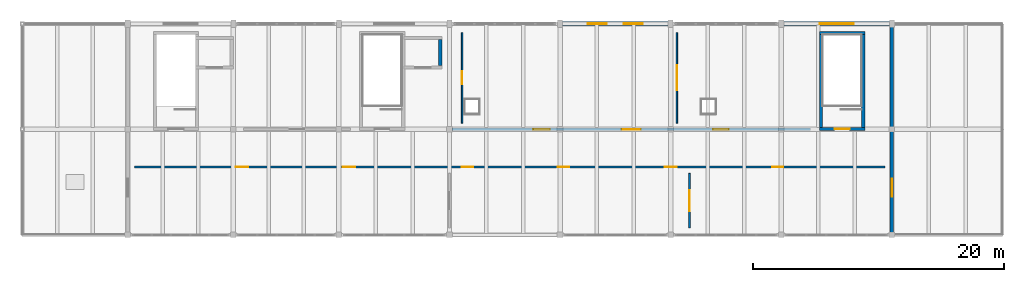
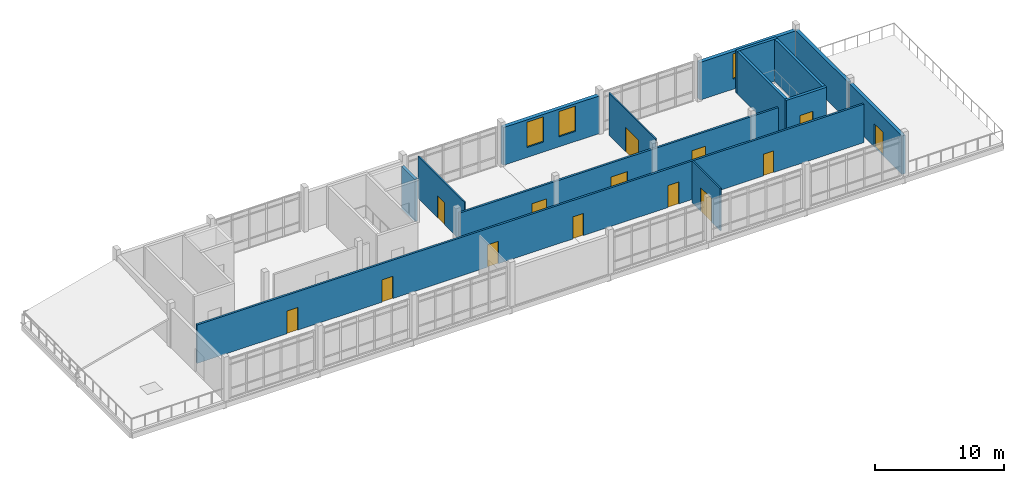
# One storey, part 12 of 13: 14 doors, 14 walls, 3 windows, 17 openings.
"""IFC4 building model written with IfcOpenShell, lengths in metres."""

from ifc_helpers import new_model, si_unit, direction, frame, frame_2d, origin, place, context, subcontext, project, spatial, rectangle, extrude, material, layer, layer_set, type_object, element, fill, save


model = new_model("IFC4")

# Units and contexts
model_context = context("Model", 3, precision=1e-05, world=origin(), true_north=direction((0.0, 1.0)))
body_context = subcontext(model_context, "Body", "Model", "MODEL_VIEW")
ifc_project = project(units=[si_unit("LENGTHUNIT", "METRE"), si_unit("AREAUNIT", "SQUARE_METRE"), si_unit("VOLUMEUNIT", "CUBIC_METRE"), si_unit("PLANEANGLEUNIT", "RADIAN"), si_unit("MASSUNIT", "GRAM", prefix="KILO")], contexts=[model_context])

# Site, building, storey
site_placement = place(None, origin())
site = spatial("IfcSite", under=ifc_project, at=site_placement, CompositionType="ELEMENT")
building_placement = place(site_placement, origin())
building = spatial("IfcBuilding", under=site, at=building_placement, Name="Cinderway Yard Community Centre", CompositionType="ELEMENT")
storey_placement = place(building_placement, frame((0.0, 0.0, 20.10009765625)))
storey = spatial("IfcBuildingStorey", under=building, at=storey_placement, Name="L05", CompositionType="ELEMENT", Elevation=20.10009765625)

# Wall, opening, door
ifc_material_1 = material(Name="Brick Masonry", Category="masonry")
ifc_layer_1 = layer(ifc_material_1, 0.300048828125, Name="Brick Masonry")
ifc_layer_set_1 = layer_set([ifc_layer_1], Name="Brick Masonry")
wall_type_1 = type_object("IfcWallType", Name="ENV-WAL-EXT300", PredefinedType="SOLIDWALL", material=ifc_layer_set_1)
wall_1_placement = place(storey_placement, frame((119.199951171875, 98.5, 0.0), z_axis=(0.0, 0.0, 1.0), x_axis=(0.0, 1.0, 0.0)))
wall_1 = element("IfcWall", 1, at=wall_1_placement, inside=storey, type_object=wall_type_1, Name="V4 East End Wall ENV-WAL-L05-0195", PredefinedType="SOLIDWALL", context=body_context, shape_type="SweptSolid", body=[
    extrude(rectangle(XDim=8.199951171875, YDim=0.300048828125, at=frame_2d((4.10009765625, 0.0))), origin(), (0.0, 0.0, 1.0), 3.64599609375),
])
opening_1_placement = place(wall_1_placement, frame((2.949951171875, 0.0, 0.0)))
opening_1 = element("IfcOpeningElement", 2, at=opening_1_placement, cuts=wall_1, Name="Opening D-TR2", PredefinedType="OPENING", context=body_context, shape_type="SweptSolid", body=[
    extrude(rectangle(XDim=1.39990234375, YDim=2.199951171875, at=frame_2d((0.699951171875, 1.10009765625))), frame((0.0, 0.159912109375, 0.0), z_axis=(0.0, -1.0, 0.0), x_axis=(1.0, 0.0, 0.0)), (0.0, 0.0, 1.0), 0.320068359375),
])
ifc_material_2 = material(Name="Aluminium 6063-T6", Category="aluminium")
door_type_1 = type_object("IfcDoorType", Name="INT-DOR-TER140", OperationType="DOUBLE_DOOR_SINGLE_SWING", PredefinedType="DOOR", material=ifc_material_2)
door_1_placement = place(opening_1_placement, origin())
door_1 = element("IfcDoor", 3, at=door_1_placement, inside=storey, type_object=door_type_1, Name="Boardroom L05 East Terrace Door EXT-DOR-L05-0095", OperationType="DOUBLE_DOOR_SINGLE_SWING", OverallHeight=2.199951171875, OverallWidth=1.39990234375, PredefinedType="DOOR", context=body_context, shape_type="SweptSolid", body=[
    extrude(rectangle(XDim=1.39990234375, YDim=2.199951171875, at=frame_2d((0.699951171875, 1.10009765625))), frame((0.0, 0.02490234375, 0.0), z_axis=(0.0, -1.0, 0.0), x_axis=(1.0, 0.0, 0.0)), (0.0, 0.0, 1.0), 0.050048828125),
])
fill(opening_1, door_1)

# Wall
wall_2_placement = place(storey_placement, frame((119.199951171875, 106.89990234375, 0.0), z_axis=(0.0, 0.0, 1.0), x_axis=(0.0, 1.0, 0.0)))
element("IfcWall", 4, at=wall_2_placement, inside=storey, type_object=wall_type_1, Name="V4 East End Wall ENV-WAL-L05-0196", PredefinedType="SOLIDWALL", context=body_context, shape_type="SweptSolid", body=[
    extrude(rectangle(XDim=8.2001953125, YDim=0.300048828125, at=frame_2d((4.10009765625, 0.0))), origin(), (0.0, 0.0, 1.0), 3.64599609375),
])

# Wall, openings, windows
ifc_layer_2 = layer(ifc_material_1, 0.340087890625, Name="Brick Masonry")
ifc_layer_set_2 = layer_set([ifc_layer_2], Name="Brick Masonry")
wall_type_2 = type_object("IfcWallType", Name="ENV-WAL-EXT340", PredefinedType="SOLIDWALL", material=ifc_layer_set_2)
wall_3_placement = place(storey_placement, frame((92.89990234375, 115.199951171875, 0.0), z_axis=(0.0, 0.0, 1.0), x_axis=(1.0, 0.0, 0.0)))
wall_3 = element("IfcWall", 5, at=wall_3_placement, inside=storey, type_object=wall_type_2, Name="V4 Street Brick Facade Wall ENV-WAL-L05-0191", PredefinedType="SOLIDWALL", context=body_context, shape_type="SweptSolid", body=[
    extrude(rectangle(XDim=8.60009765625, YDim=0.340087890625, at=frame_2d((4.300048828125, 0.0))), origin(), (0.0, 0.0, 1.0), 3.56787109375),
])
opening_2_placement = place(wall_3_placement, frame((2.116943359375, 0.0, 0.947998046875)))
opening_2 = element("IfcOpeningElement", 6, at=opening_2_placement, cuts=wall_3, Name="Opening W-24", PredefinedType="OPENING", context=body_context, shape_type="SweptSolid", body=[
    extrude(rectangle(XDim=1.5, YDim=2.39990234375, at=frame_2d((0.75, 1.199951171875))), frame((0.0, 0.179931640625, 0.0), z_axis=(0.0, -1.0, 0.0), x_axis=(1.0, 0.0, 0.0)), (0.0, 0.0, 1.0), 0.360107421875),
])
opening_3_placement = place(wall_3_placement, frame((4.98291015625, 0.0, 0.947998046875)))
opening_3 = element("IfcOpeningElement", 7, at=opening_3_placement, cuts=wall_3, Name="Opening W-24", PredefinedType="OPENING", context=body_context, shape_type="SweptSolid", body=[
    extrude(rectangle(XDim=1.5, YDim=2.39990234375, at=frame_2d((0.75, 1.199951171875))), frame((0.0, 0.179931640625, 0.0), z_axis=(0.0, -1.0, 0.0), x_axis=(1.0, 0.0, 0.0)), (0.0, 0.0, 1.0), 0.360107421875),
])
ifc_material_3 = material(Name="Laminated Low-E Glass", Category="glass")
window_type_1 = type_object("IfcWindowType", Name="ENV-WIN-W24", PartitioningType="DOUBLE_PANEL_VERTICAL", PredefinedType="WINDOW", material=ifc_material_3)
window_1_placement = place(opening_2_placement, origin())
window_1 = element("IfcWindow", 8, at=window_1_placement, inside=storey, type_object=window_type_1, Name="Exterior window ENV-WIN-L05-0111", OverallHeight=2.39990234375, OverallWidth=1.5, PartitioningType="SINGLE_PANEL", PredefinedType="WINDOW", context=body_context, shape_type="SweptSolid", body=[
    extrude(rectangle(XDim=1.5, YDim=2.39990234375, at=frame_2d((0.75, 1.199951171875))), frame((0.0, 0.030029296875, 0.0), z_axis=(0.0, -1.0, 0.0), x_axis=(1.0, 0.0, 0.0)), (0.0, 0.0, 1.0), 0.06005859375),
])
fill(opening_2, window_1)
window_2_placement = place(opening_3_placement, origin())
window_2 = element("IfcWindow", 9, at=window_2_placement, inside=storey, type_object=window_type_1, Name="Exterior window ENV-WIN-L05-0112", OverallHeight=2.39990234375, OverallWidth=1.5, PartitioningType="SINGLE_PANEL", PredefinedType="WINDOW", context=body_context, shape_type="SweptSolid", body=[
    extrude(rectangle(XDim=1.5, YDim=2.39990234375, at=frame_2d((0.75, 1.199951171875))), frame((0.0, 0.030029296875, 0.0), z_axis=(0.0, -1.0, 0.0), x_axis=(1.0, 0.0, 0.0)), (0.0, 0.0, 1.0), 0.06005859375),
])
fill(opening_3, window_2)

# Wall, opening, window
wall_4_placement = place(storey_placement, frame((110.5, 115.199951171875, 0.0), z_axis=(0.0, 0.0, 1.0), x_axis=(1.0, 0.0, 0.0)))
wall_4 = element("IfcWall", 10, at=wall_4_placement, inside=storey, type_object=wall_type_2, Name="V4 Street Brick Facade Wall ENV-WAL-L05-0192", PredefinedType="SOLIDWALL", context=body_context, shape_type="SweptSolid", body=[
    extrude(rectangle(XDim=8.60009765625, YDim=0.340087890625, at=frame_2d((4.300048828125, 0.0))), origin(), (0.0, 0.0, 1.0), 3.56787109375),
])
opening_4_placement = place(wall_4_placement, frame((2.949951171875, 0.0, 0.947998046875)))
opening_4 = element("IfcOpeningElement", 11, at=opening_4_placement, cuts=wall_4, Name="Opening W-26", PredefinedType="OPENING", context=body_context, shape_type="SweptSolid", body=[
    extrude(rectangle(XDim=2.699951171875, YDim=2.39990234375, at=frame_2d((1.35009765625, 1.199951171875))), frame((0.0, 0.179931640625, 0.0), z_axis=(0.0, -1.0, 0.0), x_axis=(1.0, 0.0, 0.0)), (0.0, 0.0, 1.0), 0.360107421875),
])
window_type_2 = type_object("IfcWindowType", Name="ENV-WIN-W26", PartitioningType="TRIPLE_PANEL_VERTICAL", PredefinedType="WINDOW", material=ifc_material_3)
window_3_placement = place(opening_4_placement, origin())
window_3 = element("IfcWindow", 12, at=window_3_placement, inside=storey, type_object=window_type_2, Name="Exterior window ENV-WIN-L05-0113", OverallHeight=2.39990234375, OverallWidth=2.699951171875, PartitioningType="SINGLE_PANEL", PredefinedType="WINDOW", context=body_context, shape_type="SweptSolid", body=[
    extrude(rectangle(XDim=2.699951171875, YDim=2.39990234375, at=frame_2d((1.35009765625, 1.199951171875))), frame((0.0, 0.030029296875, 0.0), z_axis=(0.0, -1.0, 0.0), x_axis=(1.0, 0.0, 0.0)), (0.0, 0.0, 1.0), 0.06005859375),
])
fill(opening_4, window_3)

# Wall, opening, door
ifc_material_4 = material(Name="Gypsum Board Partition", Category="gypsum")
ifc_layer_3 = layer(ifc_material_4, 0.1201171875, Name="Gypsum Board Partition")
ifc_layer_set_3 = layer_set([ifc_layer_3], Name="Gypsum Board Partition")
wall_type_3 = type_object("IfcWallType", Name="INT-WAL-PRT120", PredefinedType="PARTITIONING", material=ifc_layer_set_3)
wall_5_placement = place(storey_placement, frame((85.0, 107.300048828125, 0.0), z_axis=(0.0, 0.0, 1.0), x_axis=(0.0, 1.0, 0.0)))
wall_5 = element("IfcWall", 13, at=wall_5_placement, inside=storey, type_object=wall_type_3, Name="V4 L05 North Room Partition INT-PRT-L05-0340", PredefinedType="PARTITIONING", context=body_context, shape_type="SweptSolid", body=[
    extrude(rectangle(XDim=7.199951171875, YDim=0.1201171875, at=frame_2d((3.60009765625, 0.0))), origin(), (0.0, 0.0, 1.0), 3.98486328125),
])
opening_5_placement = place(wall_5_placement, frame((3.080078125, 0.0, 0.0)))
opening_5 = element("IfcOpeningElement", 14, at=opening_5_placement, cuts=wall_5, Name="Opening D-17", PredefinedType="OPENING", context=body_context, shape_type="SweptSolid", body=[
    extrude(rectangle(XDim=1.0400390625, YDim=2.080078125, at=frame_2d((0.52001953125, 1.0400390625))), frame((0.0, 0.070068359375, 0.0), z_axis=(0.0, -1.0, 0.0), x_axis=(1.0, 0.0, 0.0)), (0.0, 0.0, 1.0), 0.14013671875),
])
ifc_material_5 = material(Name="Hardwood Timber", Category="wood")
door_type_2 = type_object("IfcDoorType", Name="INT-DOR-NUR104", OperationType="NOTDEFINED", PredefinedType="DOOR", material=ifc_material_5)
door_2_placement = place(opening_5_placement, origin())
door_2 = element("IfcDoor", 15, at=door_2_placement, inside=storey, type_object=door_type_2, Name="Room door INT-DOR-L05-0281", OperationType="SINGLE_SWING_RIGHT", OverallHeight=2.080078125, OverallWidth=1.0400390625, PredefinedType="DOOR", context=body_context, shape_type="SweptSolid", body=[
    extrude(rectangle(XDim=1.0400390625, YDim=2.080078125, at=frame_2d((0.52001953125, 1.0400390625))), frame((0.0, 0.02490234375, 0.0), z_axis=(0.0, -1.0, 0.0), x_axis=(1.0, 0.0, 0.0)), (0.0, 0.0, 1.0), 0.050048828125),
])
fill(opening_5, door_2)

wall_6_placement = place(storey_placement, frame((102.10009765625, 107.300048828125, 0.0), z_axis=(0.0, 0.0, 1.0), x_axis=(0.0, 1.0, 0.0)))
wall_6 = element("IfcWall", 16, at=wall_6_placement, inside=storey, type_object=wall_type_3, Name="V4 L05 North Room Partition INT-PRT-L05-0341", PredefinedType="PARTITIONING", context=body_context, shape_type="SweptSolid", body=[
    extrude(rectangle(XDim=7.199951171875, YDim=0.1201171875, at=frame_2d((3.60009765625, 0.0))), origin(), (0.0, 0.0, 1.0), 3.98486328125),
])
opening_6_placement = place(wall_6_placement, frame((2.60009765625, 0.0, 0.0)))
opening_6 = element("IfcOpeningElement", 17, at=opening_6_placement, cuts=wall_6, Name="Opening D-01", PredefinedType="OPENING", context=body_context, shape_type="SweptSolid", body=[
    extrude(rectangle(XDim=2.0, YDim=2.300048828125, at=frame_2d((1.0, 1.14990234375))), frame((0.0, 0.070068359375, 0.0), z_axis=(0.0, -1.0, 0.0), x_axis=(1.0, 0.0, 0.0)), (0.0, 0.0, 1.0), 0.14013671875),
])
door_type_3 = type_object("IfcDoorType", Name="INT-DOR-HAL200", OperationType="DOUBLE_DOOR_SINGLE_SWING", PredefinedType="DOOR", material=ifc_material_5)
door_3_placement = place(opening_6_placement, origin())
door_3 = element("IfcDoor", 18, at=door_3_placement, inside=storey, type_object=door_type_3, Name="Room door INT-DOR-L05-0282", OperationType="DOUBLE_DOOR_SINGLE_SWING", OverallHeight=2.300048828125, OverallWidth=2.0, PredefinedType="DOOR", context=body_context, shape_type="SweptSolid", body=[
    extrude(rectangle(XDim=2.0, YDim=2.300048828125, at=frame_2d((1.0, 1.14990234375))), frame((0.0, 0.02490234375, 0.0), z_axis=(0.0, -1.0, 0.0), x_axis=(1.0, 0.0, 0.0)), (0.0, 0.0, 1.0), 0.050048828125),
])
fill(opening_6, door_3)

ifc_layer_4 = layer(ifc_material_4, 0.139892578125, Name="Gypsum Board Partition")
ifc_layer_set_4 = layer_set([ifc_layer_4], Name="Gypsum Board Partition")
wall_type_4 = type_object("IfcWallType", Name="INT-WAL-PRT140", PredefinedType="PARTITIONING", material=ifc_layer_set_4)
wall_7_placement = place(storey_placement, frame((103.10009765625, 98.949951171875, 0.0), z_axis=(0.0, 0.0, 1.0), x_axis=(0.0, 1.0, 0.0)))
wall_7 = element("IfcWall", 19, at=wall_7_placement, inside=storey, type_object=wall_type_4, Name="V4 L05 South Room Partition INT-PRT-L05-0339", PredefinedType="PARTITIONING", context=body_context, shape_type="SweptSolid", body=[
    extrude(rectangle(XDim=4.35009765625, YDim=0.139892578125, at=frame_2d((2.175048828125, 0.0))), origin(), (0.0, 0.0, 1.0), 3.98486328125),
])
opening_7_placement = place(wall_7_placement, frame((1.3349609375, 0.0, 0.0)))
opening_7 = element("IfcOpeningElement", 20, at=opening_7_placement, cuts=wall_7, Name="Opening D-16", PredefinedType="OPENING", context=body_context, shape_type="SweptSolid", body=[
    extrude(rectangle(XDim=1.679931640625, YDim=2.260009765625, at=frame_2d((0.83984375, 1.1298828125))), frame((0.0, 0.079833984375, 0.0), z_axis=(0.0, -1.0, 0.0), x_axis=(1.0, 0.0, 0.0)), (0.0, 0.0, 1.0), 0.159912109375),
])
door_type_4 = type_object("IfcDoorType", Name="INT-DOR-LIB168", OperationType="DOUBLE_DOOR_SINGLE_SWING", PredefinedType="DOOR", material=ifc_material_5)
door_4_placement = place(opening_7_placement, origin())
door_4 = element("IfcDoor", 21, at=door_4_placement, inside=storey, type_object=door_type_4, Name="Room door INT-DOR-L05-0280", OperationType="DOUBLE_DOOR_SINGLE_SWING", OverallHeight=2.260009765625, OverallWidth=1.679931640625, PredefinedType="DOOR", context=body_context, shape_type="SweptSolid", body=[
    extrude(rectangle(XDim=1.679931640625, YDim=2.260009765625, at=frame_2d((0.83984375, 1.1298828125))), frame((0.0, 0.02490234375, 0.0), z_axis=(0.0, -1.0, 0.0), x_axis=(1.0, 0.0, 0.0)), (0.0, 0.0, 1.0), 0.050048828125),
])
fill(opening_7, door_4)

# Wall, openings, doors
ifc_layer_5 = layer(ifc_material_1, 0.179931640625, Name="Brick Masonry")
ifc_layer_set_5 = layer_set([ifc_layer_5], Name="Brick Masonry")
wall_type_5 = type_object("IfcWallType", Name="INT-WAL-PRT180", PredefinedType="PARTITIONING", material=ifc_layer_set_5)
wall_8_placement = place(storey_placement, frame((58.949951171875, 103.800048828125, 0.0), z_axis=(0.0, 0.0, 1.0), x_axis=(1.0, 0.0, 0.0)))
wall_8 = element("IfcWall", 22, at=wall_8_placement, inside=storey, type_object=wall_type_5, Name="V4 L05 South Corridor Spine INT-PRT-L05-0335", PredefinedType="PARTITIONING", context=body_context, shape_type="SweptSolid", body=[
    extrude(rectangle(XDim=59.699951171875, YDim=0.179931640625, at=frame_2d((29.85009765625, 0.0))), origin(), (0.0, 0.0, 1.0), 3.64599609375),
])
opening_8_placement = place(wall_8_placement, frame((8.029052734375, 0.0, 0.0)))
opening_8 = element("IfcOpeningElement", 23, at=opening_8_placement, cuts=wall_8, Name="Opening D-05", PredefinedType="OPENING", context=body_context, shape_type="SweptSolid", body=[
    extrude(rectangle(XDim=1.0, YDim=2.139892578125, at=frame_2d((0.5, 1.06982421875))), frame((0.0, 0.099853515625, 0.0), z_axis=(0.0, -1.0, 0.0), x_axis=(1.0, 0.0, 0.0)), (0.0, 0.0, 1.0), 0.199951171875),
])
opening_9_placement = place(wall_8_placement, frame((16.56689453125, 0.0, 0.0)))
opening_9 = element("IfcOpeningElement", 24, at=opening_9_placement, cuts=wall_8, Name="Opening D-06", PredefinedType="OPENING", context=body_context, shape_type="SweptSolid", body=[
    extrude(rectangle(XDim=0.97998046875, YDim=2.1201171875, at=frame_2d((0.489990234375, 1.06005859375))), frame((0.0, 0.099853515625, 0.0), z_axis=(0.0, -1.0, 0.0), x_axis=(1.0, 0.0, 0.0)), (0.0, 0.0, 1.0), 0.199951171875),
])
opening_10_placement = place(wall_8_placement, frame((26.010986328125, 0.0, 0.0)))
opening_10 = element("IfcOpeningElement", 25, at=opening_10_placement, cuts=wall_8, Name="Opening D-07", PredefinedType="OPENING", context=body_context, shape_type="SweptSolid", body=[
    extrude(rectangle(XDim=0.949951171875, YDim=2.1201171875, at=frame_2d((0.47509765625, 1.06005859375))), frame((0.0, 0.099853515625, 0.0), z_axis=(0.0, -1.0, 0.0), x_axis=(1.0, 0.0, 0.0)), (0.0, 0.0, 1.0), 0.199951171875),
])
opening_11_placement = place(wall_8_placement, frame((33.654052734375, 0.0, 0.0)))
opening_11 = element("IfcOpeningElement", 26, at=opening_11_placement, cuts=wall_8, Name="Opening D-08", PredefinedType="OPENING", context=body_context, shape_type="SweptSolid", body=[
    extrude(rectangle(XDim=0.919921875, YDim=2.10009765625, at=frame_2d((0.4599609375, 1.050048828125))), frame((0.0, 0.099853515625, 0.0), z_axis=(0.0, -1.0, 0.0), x_axis=(1.0, 0.0, 0.0)), (0.0, 0.0, 1.0), 0.199951171875),
])
opening_12_placement = place(wall_8_placement, frame((42.1630859375, 0.0, 0.0)))
opening_12 = element("IfcOpeningElement", 27, at=opening_12_placement, cuts=wall_8, Name="Opening D-09", PredefinedType="OPENING", context=body_context, shape_type="SweptSolid", body=[
    extrude(rectangle(XDim=0.9599609375, YDim=2.080078125, at=frame_2d((0.47998046875, 1.0400390625))), frame((0.0, 0.099853515625, 0.0), z_axis=(0.0, -1.0, 0.0), x_axis=(1.0, 0.0, 0.0)), (0.0, 0.0, 1.0), 0.199951171875),
])
opening_13_placement = place(wall_8_placement, frame((50.720947265625, 0.0, 0.0)))
opening_13 = element("IfcOpeningElement", 28, at=opening_13_placement, cuts=wall_8, Name="Opening D-10", PredefinedType="OPENING", context=body_context, shape_type="SweptSolid", body=[
    extrude(rectangle(XDim=0.89990234375, YDim=2.06005859375, at=frame_2d((0.449951171875, 1.030029296875))), frame((0.0, 0.099853515625, 0.0), z_axis=(0.0, -1.0, 0.0), x_axis=(1.0, 0.0, 0.0)), (0.0, 0.0, 1.0), 0.199951171875),
])
door_type_5 = type_object("IfcDoorType", Name="INT-DOR-CLS100", OperationType="NOTDEFINED", PredefinedType="DOOR", material=ifc_material_5)
door_5_placement = place(opening_8_placement, origin())
door_5 = element("IfcDoor", 29, at=door_5_placement, inside=storey, type_object=door_type_5, Name="Room door INT-DOR-L05-0269", OperationType="SINGLE_SWING_LEFT", OverallHeight=2.139892578125, OverallWidth=1.0, PredefinedType="DOOR", context=body_context, shape_type="SweptSolid", body=[
    extrude(rectangle(XDim=1.0, YDim=2.139892578125, at=frame_2d((0.5, 1.06982421875))), frame((0.0, 0.02490234375, 0.0), z_axis=(0.0, -1.0, 0.0), x_axis=(1.0, 0.0, 0.0)), (0.0, 0.0, 1.0), 0.050048828125),
])
fill(opening_8, door_5)
door_type_6 = type_object("IfcDoorType", Name="INT-DOR-OFF092", OperationType="NOTDEFINED", PredefinedType="DOOR", material=ifc_material_5)
door_6_placement = place(opening_11_placement, origin())
door_6 = element("IfcDoor", 30, at=door_6_placement, inside=storey, type_object=door_type_6, Name="Room door INT-DOR-L05-0272", OperationType="SINGLE_SWING_RIGHT", OverallHeight=2.10009765625, OverallWidth=0.919921875, PredefinedType="DOOR", context=body_context, shape_type="SweptSolid", body=[
    extrude(rectangle(XDim=0.919921875, YDim=2.10009765625, at=frame_2d((0.4599609375, 1.050048828125))), frame((0.0, 0.02490234375, 0.0), z_axis=(0.0, -1.0, 0.0), x_axis=(1.0, 0.0, 0.0)), (0.0, 0.0, 1.0), 0.050048828125),
])
fill(opening_11, door_6)
door_type_7 = type_object("IfcDoorType", Name="INT-DOR-OFF095", OperationType="NOTDEFINED", PredefinedType="DOOR", material=ifc_material_5)
door_7_placement = place(opening_10_placement, origin())
door_7 = element("IfcDoor", 31, at=door_7_placement, inside=storey, type_object=door_type_7, Name="Room door INT-DOR-L05-0271", OperationType="SINGLE_SWING_LEFT", OverallHeight=2.1201171875, OverallWidth=0.949951171875, PredefinedType="DOOR", context=body_context, shape_type="SweptSolid", body=[
    extrude(rectangle(XDim=0.949951171875, YDim=2.1201171875, at=frame_2d((0.47509765625, 1.06005859375))), frame((0.0, 0.02490234375, 0.0), z_axis=(0.0, -1.0, 0.0), x_axis=(1.0, 0.0, 0.0)), (0.0, 0.0, 1.0), 0.050048828125),
])
fill(opening_10, door_7)
door_type_8 = type_object("IfcDoorType", Name="INT-DOR-OFF098", OperationType="NOTDEFINED", PredefinedType="DOOR", material=ifc_material_5)
door_8_placement = place(opening_9_placement, origin())
door_8 = element("IfcDoor", 32, at=door_8_placement, inside=storey, type_object=door_type_8, Name="Room door INT-DOR-L05-0270", OperationType="SINGLE_SWING_RIGHT", OverallHeight=2.1201171875, OverallWidth=0.97998046875, PredefinedType="DOOR", context=body_context, shape_type="SweptSolid", body=[
    extrude(rectangle(XDim=0.97998046875, YDim=2.1201171875, at=frame_2d((0.489990234375, 1.06005859375))), frame((0.0, 0.02490234375, 0.0), z_axis=(0.0, -1.0, 0.0), x_axis=(1.0, 0.0, 0.0)), (0.0, 0.0, 1.0), 0.050048828125),
])
fill(opening_9, door_8)
door_type_9 = type_object("IfcDoorType", Name="INT-DOR-SAN090", OperationType="NOTDEFINED", PredefinedType="DOOR", material=ifc_material_5)
door_9_placement = place(opening_13_placement, origin())
door_9 = element("IfcDoor", 33, at=door_9_placement, inside=storey, type_object=door_type_9, Name="Room door INT-DOR-L05-0274", OperationType="SINGLE_SWING_RIGHT", OverallHeight=2.06005859375, OverallWidth=0.89990234375, PredefinedType="DOOR", context=body_context, shape_type="SweptSolid", body=[
    extrude(rectangle(XDim=0.89990234375, YDim=2.06005859375, at=frame_2d((0.449951171875, 1.030029296875))), frame((0.0, 0.02490234375, 0.0), z_axis=(0.0, -1.0, 0.0), x_axis=(1.0, 0.0, 0.0)), (0.0, 0.0, 1.0), 0.050048828125),
])
fill(opening_13, door_9)
door_type_10 = type_object("IfcDoorType", Name="INT-DOR-SAN096", OperationType="NOTDEFINED", PredefinedType="DOOR", material=ifc_material_5)
door_10_placement = place(opening_12_placement, origin())
door_10 = element("IfcDoor", 34, at=door_10_placement, inside=storey, type_object=door_type_10, Name="Room door INT-DOR-L05-0273", OperationType="SINGLE_SWING_LEFT", OverallHeight=2.080078125, OverallWidth=0.9599609375, PredefinedType="DOOR", context=body_context, shape_type="SweptSolid", body=[
    extrude(rectangle(XDim=0.9599609375, YDim=2.080078125, at=frame_2d((0.47998046875, 1.0400390625))), frame((0.0, 0.02490234375, 0.0), z_axis=(0.0, -1.0, 0.0), x_axis=(1.0, 0.0, 0.0)), (0.0, 0.0, 1.0), 0.050048828125),
])
fill(opening_12, door_10)

wall_9_placement = place(storey_placement, frame((84.199951171875, 106.800048828125, 0.0), z_axis=(0.0, 0.0, 1.0), x_axis=(1.0, 0.0, 0.0)))
wall_9 = element("IfcWall", 35, at=wall_9_placement, inside=storey, type_object=wall_type_5, Name="V4 L05 North Corridor Spine INT-PRT-L05-0337", PredefinedType="PARTITIONING", context=body_context, shape_type="SweptSolid", body=[
    extrude(rectangle(XDim=28.530029296875, YDim=0.179931640625, at=frame_2d((14.26513671875, 0.0))), origin(), (0.0, 0.0, 1.0), 3.56787109375),
])
opening_14_placement = place(wall_9_placement, frame((6.48291015625, 0.0, 0.0)))
opening_14 = element("IfcOpeningElement", 36, at=opening_14_placement, cuts=wall_9, Name="Opening D-12", PredefinedType="OPENING", context=body_context, shape_type="SweptSolid", body=[
    extrude(rectangle(XDim=1.300048828125, YDim=2.199951171875, at=frame_2d((0.64990234375, 1.10009765625))), frame((0.0, 0.099853515625, 0.0), z_axis=(0.0, -1.0, 0.0), x_axis=(1.0, 0.0, 0.0)), (0.0, 0.0, 1.0), 0.199951171875),
])
opening_15_placement = place(wall_9_placement, frame((13.514892578125, 0.0, 0.0)))
opening_15 = element("IfcOpeningElement", 37, at=opening_15_placement, cuts=wall_9, Name="Opening D-13", PredefinedType="OPENING", context=body_context, shape_type="SweptSolid", body=[
    extrude(rectangle(XDim=1.5, YDim=2.25, at=frame_2d((0.75, 1.125))), frame((0.0, 0.099853515625, 0.0), z_axis=(0.0, -1.0, 0.0), x_axis=(1.0, 0.0, 0.0)), (0.0, 0.0, 1.0), 0.199951171875),
])
opening_16_placement = place(wall_9_placement, frame((20.777099609375, 0.0, 0.0)))
opening_16 = element("IfcOpeningElement", 38, at=opening_16_placement, cuts=wall_9, Name="Opening D-14", PredefinedType="OPENING", context=body_context, shape_type="SweptSolid", body=[
    extrude(rectangle(XDim=1.239990234375, YDim=2.199951171875, at=frame_2d((0.6201171875, 1.10009765625))), frame((0.0, 0.099853515625, 0.0), z_axis=(0.0, -1.0, 0.0), x_axis=(1.0, 0.0, 0.0)), (0.0, 0.0, 1.0), 0.199951171875),
])
ifc_material_6 = material(Name="Painted Galvanised Steel", Category="steel")
door_type_11 = type_object("IfcDoorType", Name="INT-DOR-PLT130", OperationType="NOTDEFINED", PredefinedType="DOOR", material=ifc_material_6)
door_11_placement = place(opening_14_placement, origin())
door_11 = element("IfcDoor", 39, at=door_11_placement, inside=storey, type_object=door_type_11, Name="Room door INT-DOR-L05-0276", OperationType="SINGLE_SWING_RIGHT", OverallHeight=2.199951171875, OverallWidth=1.300048828125, PredefinedType="DOOR", context=body_context, shape_type="SweptSolid", body=[
    extrude(rectangle(XDim=1.300048828125, YDim=2.199951171875, at=frame_2d((0.64990234375, 1.10009765625))), frame((0.0, 0.02490234375, 0.0), z_axis=(0.0, -1.0, 0.0), x_axis=(1.0, 0.0, 0.0)), (0.0, 0.0, 1.0), 0.050048828125),
])
fill(opening_14, door_11)
door_type_12 = type_object("IfcDoorType", Name="INT-DOR-PLT150", OperationType="DOUBLE_DOOR_SINGLE_SWING", PredefinedType="DOOR", material=ifc_material_6)
door_12_placement = place(opening_15_placement, origin())
door_12 = element("IfcDoor", 40, at=door_12_placement, inside=storey, type_object=door_type_12, Name="Room door INT-DOR-L05-0277", OperationType="DOUBLE_DOOR_SINGLE_SWING", OverallHeight=2.25, OverallWidth=1.5, PredefinedType="DOOR", context=body_context, shape_type="SweptSolid", body=[
    extrude(rectangle(XDim=1.5, YDim=2.25, at=frame_2d((0.75, 1.125))), frame((0.0, 0.02490234375, 0.0), z_axis=(0.0, -1.0, 0.0), x_axis=(1.0, 0.0, 0.0)), (0.0, 0.0, 1.0), 0.050048828125),
])
fill(opening_15, door_12)
door_type_13 = type_object("IfcDoorType", Name="INT-DOR-STU124", OperationType="NOTDEFINED", PredefinedType="DOOR", material=ifc_material_5)
door_13_placement = place(opening_16_placement, origin())
door_13 = element("IfcDoor", 41, at=door_13_placement, inside=storey, type_object=door_type_13, Name="Room door INT-DOR-L05-0278", OperationType="SINGLE_SWING_LEFT", OverallHeight=2.199951171875, OverallWidth=1.239990234375, PredefinedType="DOOR", context=body_context, shape_type="SweptSolid", body=[
    extrude(rectangle(XDim=1.239990234375, YDim=2.199951171875, at=frame_2d((0.6201171875, 1.10009765625))), frame((0.0, 0.02490234375, 0.0), z_axis=(0.0, -1.0, 0.0), x_axis=(1.0, 0.0, 0.0)), (0.0, 0.0, 1.0), 0.050048828125),
])
fill(opening_16, door_13)

# Wall
ifc_material_7 = material(Name="Concrete C40/50", Category="concrete")
ifc_layer_6 = layer(ifc_material_7, 0.25, Name="Concrete C40/50")
ifc_layer_set_6 = layer_set([ifc_layer_6], Name="Concrete C40/50")
wall_type_6 = type_object("IfcWallType", Name="INT-WAL-SHR250", PredefinedType="SHEAR", material=ifc_layer_set_6)
wall_10_placement = place(storey_placement, frame((83.27001953125, 111.860107421875, 0.0), z_axis=(0.0, 0.0, 1.0), x_axis=(0.0, 1.0, 0.0)))
element("IfcWall", 42, at=wall_10_placement, inside=storey, type_object=wall_type_6, Name="Lift LF-02 East Wall INT-WAL-L05-0084", PredefinedType="SHEAR", context=body_context, shape_type="SweptSolid", body=[
    extrude(rectangle(XDim=2.079833984375, YDim=0.25, at=frame_2d((1.0400390625, 0.0))), origin(), (0.0, 0.0, 1.0), 4.0),
])

# Wall, opening, door
wall_11_placement = place(storey_placement, frame((117.044921875, 106.830078125, 0.0), z_axis=(0.0, 0.0, 1.0), x_axis=(-1.0, 0.0, 0.0)))
wall_11 = element("IfcWall", 43, at=wall_11_placement, inside=storey, type_object=wall_type_6, Name="Stair ST-03 Entry Wall INT-WAL-L05-0105", PredefinedType="SHEAR", context=body_context, shape_type="SweptSolid", body=[
    extrude(rectangle(XDim=3.60986328125, YDim=0.25, at=frame_2d((1.804931640625, 0.0))), origin(), (0.0, 0.0, 1.0), 4.0),
])
opening_17_placement = place(wall_11_placement, frame((1.205078125, 0.0, 0.0)))
opening_17 = element("IfcOpeningElement", 44, at=opening_17_placement, cuts=wall_11, Name="Opening D-ST1", PredefinedType="OPENING", context=body_context, shape_type="SweptSolid", body=[
    extrude(rectangle(XDim=1.199951171875, YDim=2.14990234375, at=frame_2d((0.60009765625, 1.074951171875))), frame((0.0, 0.135009765625, 0.0), z_axis=(0.0, -1.0, 0.0), x_axis=(1.0, 0.0, 0.0)), (0.0, 0.0, 1.0), 0.27001953125),
])
door_type_14 = type_object("IfcDoorType", Name="INT-DOR-ST120", OperationType="NOTDEFINED", PredefinedType="DOOR", material=ifc_material_6)
door_14_placement = place(opening_17_placement, origin())
door_14 = element("IfcDoor", 45, at=door_14_placement, inside=storey, type_object=door_type_14, Name="Core door INT-DOR-L05-0030", OperationType="SINGLE_SWING_RIGHT", OverallHeight=2.14990234375, OverallWidth=1.199951171875, PredefinedType="DOOR", context=body_context, shape_type="SweptSolid", body=[
    extrude(rectangle(XDim=1.199951171875, YDim=2.14990234375, at=frame_2d((0.60009765625, 1.074951171875))), frame((0.0, 0.02490234375, 0.0), z_axis=(0.0, -1.0, 0.0), x_axis=(1.0, 0.0, 0.0)), (0.0, 0.0, 1.0), 0.050048828125),
])
fill(opening_17, door_14)

# Walls
wall_12_placement = place(storey_placement, frame((113.43505859375, 114.469970703125, 0.0), z_axis=(0.0, 0.0, 1.0), x_axis=(1.0, 0.0, 0.0)))
element("IfcWall", 46, at=wall_12_placement, inside=storey, type_object=wall_type_6, Name="Stair ST-03 Back Wall INT-WAL-L05-0106", PredefinedType="SHEAR", context=body_context, shape_type="SweptSolid", body=[
    extrude(rectangle(XDim=3.60986328125, YDim=0.25, at=frame_2d((1.804931640625, 0.0))), origin(), (0.0, 0.0, 1.0), 4.0),
])
for number, where, z_axis, x_axis, name in (
    (47, (113.56005859375, 106.955078125, 0.0), (0.0, 0.0, 1.0), (0.0, 1.0, 0.0), "Stair ST-03 Side Wall L INT-WAL-L05-0107"),
    (48, (116.919921875, 114.344970703125, 0.0), (0.0, 0.0, 1.0), (0.0, -1.0, 0.0), "Stair ST-03 Side Wall R INT-WAL-L05-0108"),
):
    element("IfcWall", number, at=place(storey_placement, frame(where, z_axis=z_axis, x_axis=x_axis)), inside=storey, type_object=wall_type_6, Name=name, PredefinedType="SHEAR", context=body_context, shape_type="SweptSolid", body=[
        extrude(rectangle(XDim=7.389892578125, YDim=0.25, at=frame_2d((3.69482421875, 0.0))), origin(), (0.0, 0.0, 1.0), 4.0),
    ])

save(model, "model.ifc")
